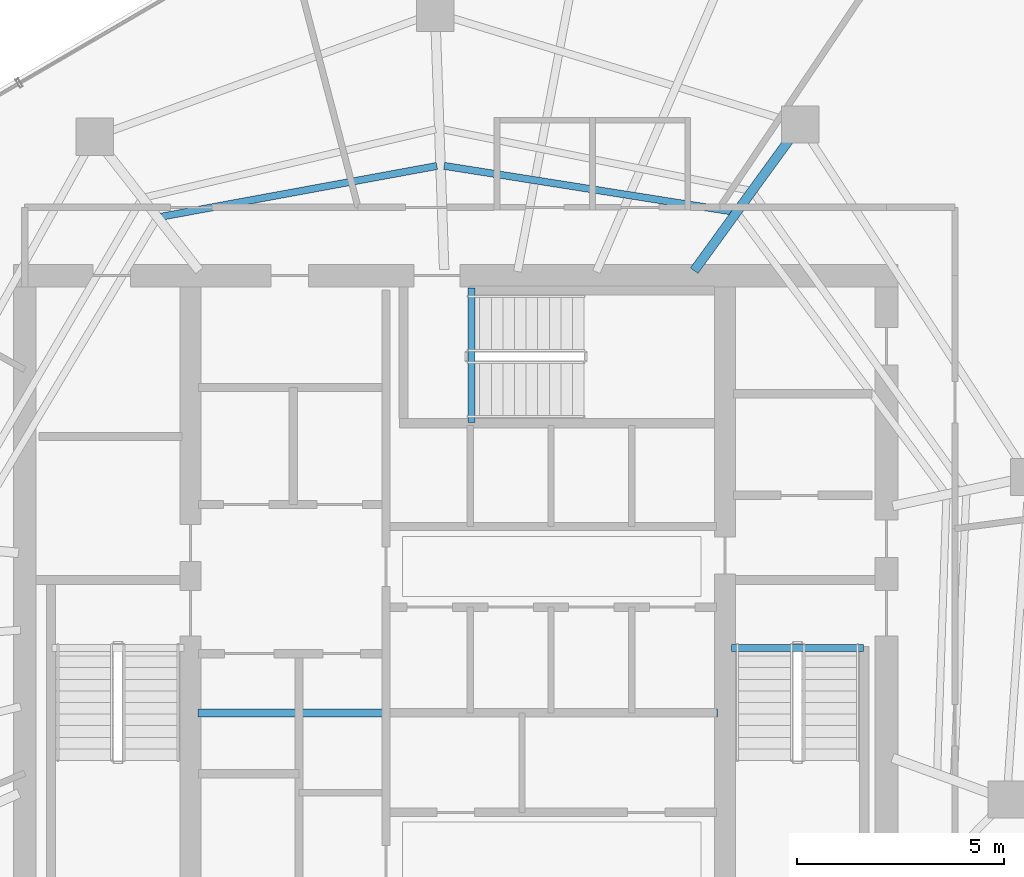
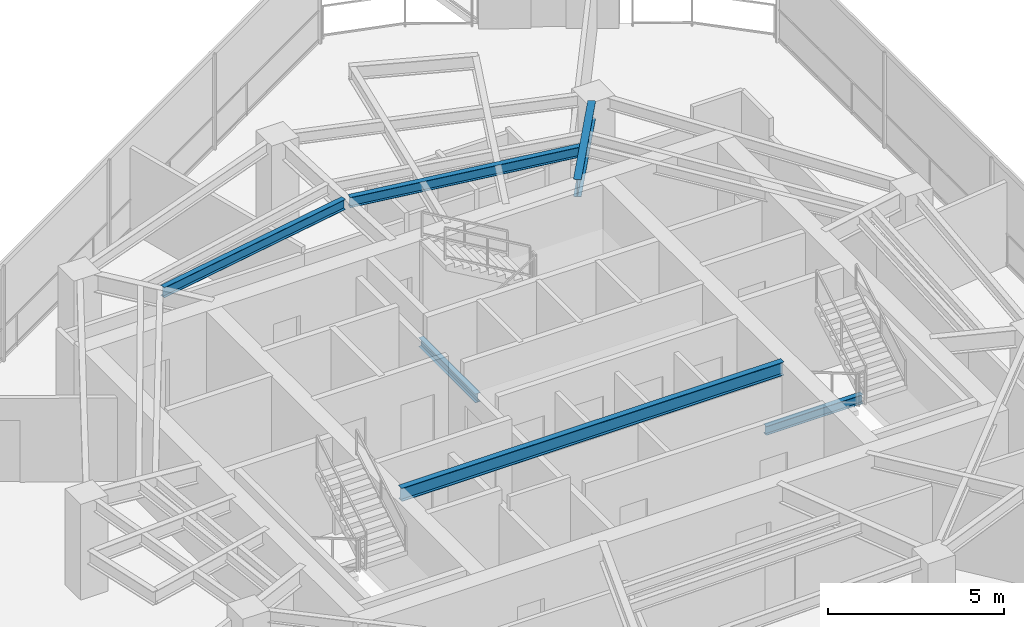
# One storey, part 6 of 19: 6 beams.
"""IFC4 building model written with IfcOpenShell, lengths in metres."""

from ifc_helpers import new_model, si_unit, direction, frame, origin, origin_2d, place, context, subcontext, project, spatial, i_section, extrude, material, material_profile, profile_set, type_object, element, save


model = new_model("IFC4")

# Units and contexts
model_context = context("Model", 3, precision=1e-05, world=origin(), true_north=direction((0.0, 1.0)))
body_context = subcontext(model_context, "Body", "Model", "MODEL_VIEW")
ifc_project = project(units=[si_unit("LENGTHUNIT", "METRE"), si_unit("AREAUNIT", "SQUARE_METRE"), si_unit("VOLUMEUNIT", "CUBIC_METRE"), si_unit("PLANEANGLEUNIT", "RADIAN"), si_unit("MASSUNIT", "GRAM", prefix="KILO")], contexts=[model_context])

# Site, building, storey
site_placement = place(None, origin())
site = spatial("IfcSite", under=ifc_project, at=site_placement, CompositionType="ELEMENT")
building_placement = place(site_placement, origin())
building = spatial("IfcBuilding", under=site, at=building_placement, Name="Qarnah Convention Tower", CompositionType="ELEMENT")
storey_placement = place(building_placement, frame((0.0, 0.0, 180.60009765625)))
storey = spatial("IfcBuildingStorey", under=building, at=storey_placement, Name="L48", CompositionType="ELEMENT", Elevation=180.60009765625)

# Beams
ifc_material = material(Name="Structural steel S355JR", Category="steel")
ifc_material_profile_1 = material_profile(ifc_material, i_section(OverallWidth=0.19189453125, OverallDepth=0.464111328125, WebThickness=0.010986328125, FlangeThickness=0.01806640625, at=origin_2d()), Name="W460X89")
ifc_profile_set_1 = profile_set([ifc_material_profile_1], Name="Structural steel S355JR")
beam_type_1 = type_object("IfcBeamType", Name="BM-CANT-W460A", PredefinedType="BEAM", material=ifc_profile_set_1)
beam_1_placement = place(storey_placement, frame((30.97998046875, 23.64990234375, 3.087890625), z_axis=(1.0, 0.0, 0.0), x_axis=(0.0, 1.0, 0.0)))
element("IfcBeam", 1, at=beam_1_placement, inside=storey, type_object=beam_type_1, Name="L48 beam BM-L48-KC1", PredefinedType="BEAM", context=body_context, shape_type="SweptSolid", body=[
    extrude(i_section(OverallWidth=0.19189453125, OverallDepth=0.464111328125, WebThickness=0.010986328125, FlangeThickness=0.01806640625, at=origin_2d()), origin(), (0.0, 0.0, 1.0), 12.5400390625),
])
ifc_material_profile_2 = material_profile(ifc_material, i_section(OverallWidth=0.166015625, OverallDepth=0.31201171875, WebThickness=0.007080078125, FlangeThickness=0.010986328125, at=origin_2d()), Name="W310X45")
ifc_profile_set_2 = profile_set([ifc_material_profile_2], Name="Structural steel S355JR")
beam_type_2 = type_object("IfcBeamType", Name="BM-JST-W310", PredefinedType="JOIST", material=ifc_profile_set_2)
beam_2_placement = place(storey_placement, frame((43.860107421875, 25.217041015625, -0.156005859375), z_axis=(1.0, 0.0, 0.0), x_axis=(0.0, 1.0, 0.0)))
element("IfcBeam", 2, at=beam_2_placement, inside=storey, type_object=beam_type_2, Name="L48 stair landing trimmer beam BM-L48-ST2-TRM", PredefinedType="BEAM", context=body_context, shape_type="SweptSolid", body=[
    extrude(i_section(OverallWidth=0.166015625, OverallDepth=0.31201171875, WebThickness=0.007080078125, FlangeThickness=0.010986328125, at=origin_2d()), origin(), (0.0, 0.0, 1.0), 3.179931640625),
])
beam_3_placement = place(storey_placement, frame((37.5830078125, 30.659912109375, -0.156005859375), z_axis=(0.0, 1.0, 0.0), x_axis=(-1.0, 0.0, 0.0)))
element("IfcBeam", 3, at=beam_3_placement, inside=storey, type_object=beam_type_2, Name="L48 stair landing trimmer beam BM-L48-ST3-TRM", PredefinedType="BEAM", context=body_context, shape_type="SweptSolid", body=[
    extrude(i_section(OverallWidth=0.166015625, OverallDepth=0.31201171875, WebThickness=0.007080078125, FlangeThickness=0.010986328125, at=origin_2d()), origin(), (0.0, 0.0, 1.0), 3.239990234375),
])
ifc_material_profile_3 = material_profile(ifc_material, i_section(OverallWidth=0.172119140625, OverallDepth=0.35595703125, WebThickness=0.007080078125, FlangeThickness=0.011962890625, at=origin_2d()), Name="W360X51")
ifc_profile_set_3 = profile_set([ifc_material_profile_3], Name="Structural steel S355JR")
beam_type_3 = type_object("IfcBeamType", Name="BM-JST-W360", PredefinedType="JOIST", material=ifc_profile_set_3)
beam_4_placement = place(storey_placement, frame((43.89111328125, 35.74609375, 3.141845703125), z_axis=(-0.987698054277, 0.156373122936, 0.0), x_axis=(-0.156373122936, -0.987698054277, 0.0)))
element("IfcBeam", 4, at=beam_4_placement, inside=storey, type_object=beam_type_3, Name="L48 joist BM-L48-IJST-02", PredefinedType="JOIST", context=body_context, shape_type="SweptSolid", body=[
    extrude(i_section(OverallWidth=0.172119140625, OverallDepth=0.35595703125, WebThickness=0.007080078125, FlangeThickness=0.011962890625, at=origin_2d()), origin(), (0.0, 0.0, 1.0), 7.0537109375),
])
beam_5_placement = place(storey_placement, frame((36.74609375, 36.846923828125, 3.141845703125), z_axis=(-0.983488206865, -0.180972227031, 0.0), x_axis=(0.180972227031, -0.983488206865, 0.0)))
element("IfcBeam", 5, at=beam_5_placement, inside=storey, type_object=beam_type_3, Name="L48 joist BM-L48-IJST-03", PredefinedType="JOIST", context=body_context, shape_type="SweptSolid", body=[
    extrude(i_section(OverallWidth=0.172119140625, OverallDepth=0.35595703125, WebThickness=0.007080078125, FlangeThickness=0.011962890625, at=origin_2d()), origin(), (0.0, 0.0, 1.0), 6.7626953125),
])
ifc_material_profile_4 = material_profile(ifc_material, i_section(OverallWidth=0.22802734375, OverallDepth=0.60791015625, WebThickness=0.010986328125, FlangeThickness=0.01708984375, at=origin_2d()), Name="W610X113")
ifc_profile_set_4 = profile_set([ifc_material_profile_4], Name="Structural steel S355JR")
beam_type_4 = type_object("IfcBeamType", Name="BM-RAD-W610B", PredefinedType="BEAM", material=ifc_profile_set_4)
beam_6_placement = place(storey_placement, frame((42.955078125, 34.321044921875, 3.015869140625), z_axis=(0.587650613849, 0.809114797815, 0.0), x_axis=(-0.809114797815, 0.587650613849, 0.0)))
element("IfcBeam", 6, at=beam_6_placement, inside=storey, type_object=beam_type_4, Name="L48 beam BM-L48-RAD-02", PredefinedType="BEAM", context=body_context, shape_type="SweptSolid", body=[
    extrude(i_section(OverallWidth=0.22802734375, OverallDepth=0.60791015625, WebThickness=0.010986328125, FlangeThickness=0.01708984375, at=origin_2d()), origin(), (0.0, 0.0, 1.0), 3.928955078125),
])

save(model, "model.ifc")
